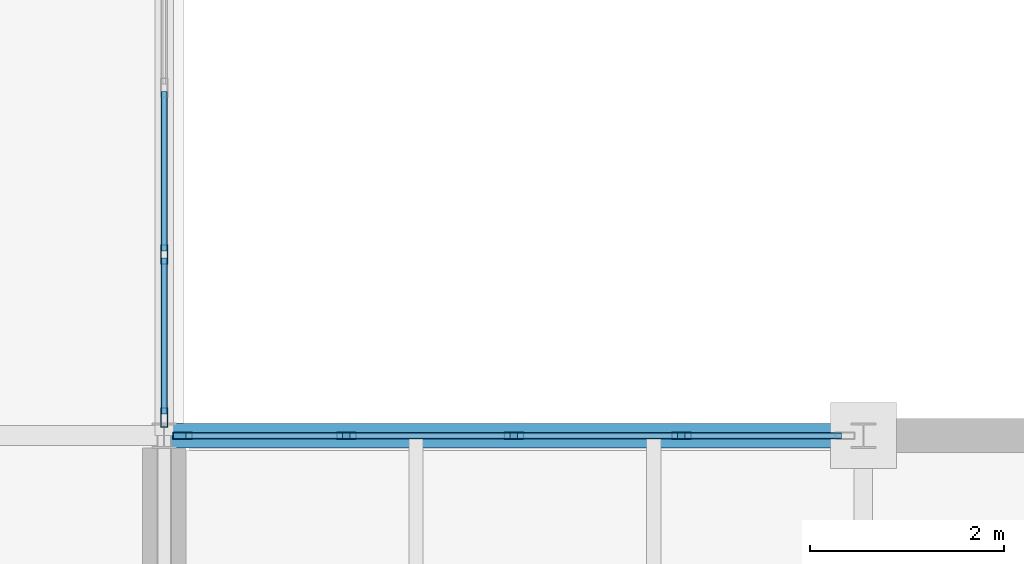
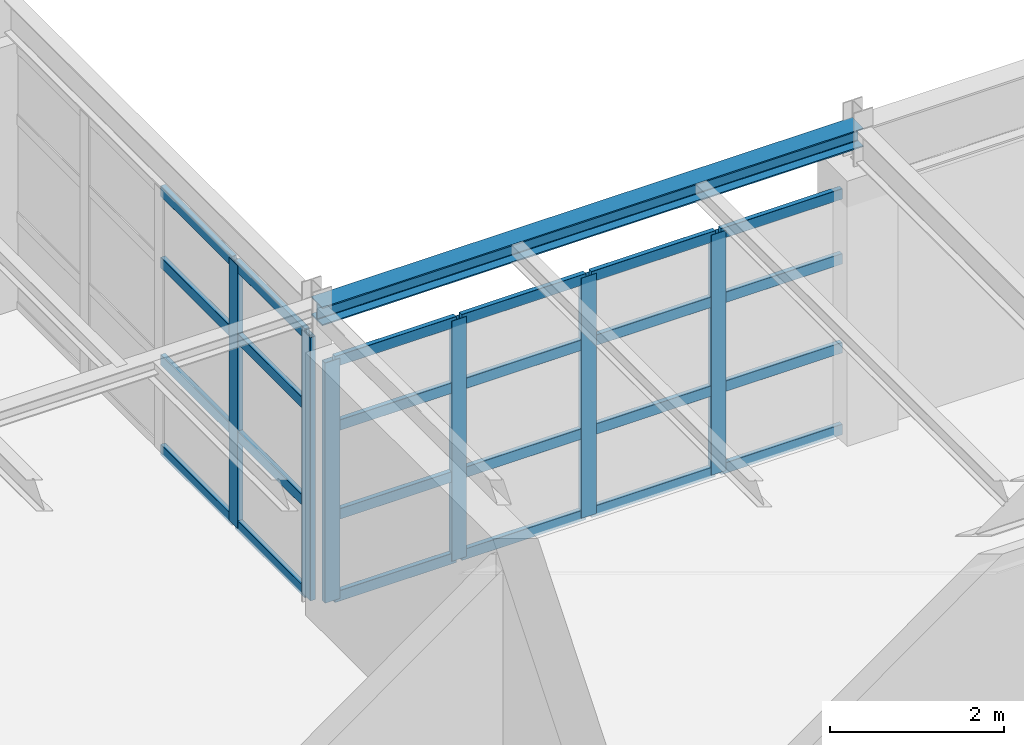
# One storey, part 31 of 137: 30 members, 1 beam, 2 elements without a shape of their own.
"""IFC4 building model written with IfcOpenShell, lengths in metres."""

from ifc_helpers import new_model, si_unit, direction, frame, origin, origin_2d, place, context, subcontext, project, spatial, hollow_rectangle, i_section, extrude, material, layer, layer_set, material_profile, profile_set, type_object, element, aggregate, save


model = new_model("IFC4")

# Units and contexts
model_context = context("Model", 3, precision=1e-05, world=origin(), true_north=direction((0.0, 1.0)))
body_context = subcontext(model_context, "Body", "Model", "MODEL_VIEW")
ifc_project = project(units=[si_unit("LENGTHUNIT", "METRE"), si_unit("AREAUNIT", "SQUARE_METRE"), si_unit("VOLUMEUNIT", "CUBIC_METRE"), si_unit("PLANEANGLEUNIT", "RADIAN"), si_unit("MASSUNIT", "GRAM", prefix="KILO")], contexts=[model_context])

# Site, building, storey
site_placement = place(None, origin())
site = spatial("IfcSite", under=ifc_project, at=site_placement, CompositionType="ELEMENT")
building_placement = place(site_placement, origin())
building = spatial("IfcBuilding", under=site, at=building_placement, Name="Kemerveld Promenade Tramway Depot", CompositionType="ELEMENT")
storey_placement = place(building_placement, frame((0.0, 0.0, 5.39990234375)))
storey = spatial("IfcBuildingStorey", under=building, at=storey_placement, Name="L01", CompositionType="ELEMENT", Elevation=5.39990234375)

# Beam
ifc_material_1 = material(Name="Steel S355", Category="steel")
ifc_material_profile_1 = material_profile(ifc_material_1, i_section(OverallWidth=0.25634765625, OverallDepth=0.26025390625, WebThickness=0.01025390625, FlangeThickness=0.017333984375, FilletRadius=0.0126953125, at=origin_2d()), Name="254x254x89 UC")
ifc_profile_set_1 = profile_set([ifc_material_profile_1], Name="Steel S355")
beam_type = type_object("IfcBeamType", Name="BM-LN4", PredefinedType="LINTEL", material=ifc_profile_set_1)
beam_placement = place(storey_placement, frame((57.60009765625, 28.800048828125, 4.119873046875), z_axis=(1.0, 0.0, 0.0), x_axis=(0.0, 1.0, 0.0)))
element("IfcBeam", 1, at=beam_placement, inside=storey, type_object=beam_type, Name="BMX-L01-09-10-E", PredefinedType="LINTEL", context=body_context, shape_type="SweptSolid", body=[
    extrude(i_section(OverallWidth=0.25634765625, OverallDepth=0.26025390625, WebThickness=0.01025390625, FlangeThickness=0.017333984375, FilletRadius=0.0126953125, at=origin_2d()), origin(), (0.0, 0.0, 1.0), 7.199951171875),
])

# Curtain wall, members
ifc_material_2 = material(Name="Bronze anodised aluminium and solar glass", Category="aluminium")
ifc_layer_1 = layer(ifc_material_2, 0.199951171875)
ifc_layer_set_1 = layer_set([ifc_layer_1], Name="CW-SYS-10")
curtain_wall_type_1 = type_object("IfcCurtainWallType", Name="CW-SYS-10", PredefinedType="USERDEFINED", material=ifc_layer_set_1)
curtain_wall_1_placement = place(storey_placement, origin())
curtain_wall_1 = element("IfcCurtainWall", 2, at=curtain_wall_1_placement, inside=storey, type_object=curtain_wall_type_1, Name="CW-L01-V5E-07", ObjectType="GLAZED_CURTAIN_WALL", PredefinedType="USERDEFINED")
ifc_material_3 = material(Name="Bronze anodised aluminium", Category="aluminium")
ifc_material_profile_2 = material_profile(ifc_material_3, hollow_rectangle(XDim=0.074951171875, YDim=0.199951171875, WallThickness=0.0048828125, InnerFilletRadius=0.001953125, OuterFilletRadius=0.0048828125, at=origin_2d()), Name="CW-MUL-200x75")
ifc_profile_set_2 = profile_set([ifc_material_profile_2], Name="Bronze anodised aluminium")
member_type_1 = type_object("IfcMemberType", Name="CW-MUL-B", PredefinedType="MULLION", material=ifc_profile_set_2)
member_1_placement = place(storey_placement, frame((57.60009765625, 30.666748046875, 0.0), z_axis=(0.0, 0.0, 1.0), x_axis=(1.0, 0.0, 0.0)))
member_1 = element("IfcMember", 3, at=member_1_placement, type_object=member_type_1, Name="CW10 mullion 4", PredefinedType="MULLION", context=body_context, shape_type="SweptSolid", body=[
    extrude(hollow_rectangle(XDim=0.074951171875, YDim=0.199951171875, WallThickness=0.0048828125, InnerFilletRadius=0.001953125, OuterFilletRadius=0.0048828125, at=origin_2d()), origin(), (0.0, 0.0, 1.0), 3.70361328125),
])
member_2_placement = place(storey_placement, frame((57.60009765625, 28.98779296875, 0.0), z_axis=(0.0, 0.0, 1.0), x_axis=(1.0, 0.0, 0.0)))
member_2 = element("IfcMember", 4, at=member_2_placement, type_object=member_type_1, Name="CW10 mullion 5", PredefinedType="MULLION", context=body_context, shape_type="SweptSolid", body=[
    extrude(hollow_rectangle(XDim=0.074951171875, YDim=0.199951171875, WallThickness=0.0048828125, InnerFilletRadius=0.001953125, OuterFilletRadius=0.0048828125, at=origin_2d()), origin(), (0.0, 0.0, 1.0), 3.70361328125),
])

ifc_layer_2 = layer(ifc_material_2, 0.199951171875)
ifc_layer_set_2 = layer_set([ifc_layer_2], Name="CW-SYS-04")
curtain_wall_type_2 = type_object("IfcCurtainWallType", Name="CW-SYS-04", PredefinedType="USERDEFINED", material=ifc_layer_set_2)
curtain_wall_2_placement = place(storey_placement, origin())
curtain_wall_2 = element("IfcCurtainWall", 5, at=curtain_wall_2_placement, inside=storey, type_object=curtain_wall_type_2, Name="CW-L01-V4N-01", ObjectType="GLAZED_CURTAIN_WALL", PredefinedType="USERDEFINED")
member_3_placement = place(storey_placement, frame((57.78759765625, 28.800048828125, 0.0), z_axis=(0.0, 0.0, 1.0), x_axis=(0.0, 1.0, 0.0)))
member_3 = element("IfcMember", 6, at=member_3_placement, type_object=member_type_1, Name="CW04 mullion 1", PredefinedType="MULLION", context=body_context, shape_type="SweptSolid", body=[
    extrude(hollow_rectangle(XDim=0.074951171875, YDim=0.199951171875, WallThickness=0.0048828125, InnerFilletRadius=0.001953125, OuterFilletRadius=0.0048828125, at=origin_2d()), origin(), (0.0, 0.0, 1.0), 3.37939453125),
])
member_4_placement = place(storey_placement, frame((59.47509765625, 28.800048828125, 0.0), z_axis=(0.0, 0.0, 1.0), x_axis=(0.0, 1.0, 0.0)))
member_4 = element("IfcMember", 7, at=member_4_placement, type_object=member_type_1, Name="CW04 mullion 2", PredefinedType="MULLION", context=body_context, shape_type="SweptSolid", body=[
    extrude(hollow_rectangle(XDim=0.074951171875, YDim=0.199951171875, WallThickness=0.0048828125, InnerFilletRadius=0.001953125, OuterFilletRadius=0.0048828125, at=origin_2d()), origin(), (0.0, 0.0, 1.0), 3.37939453125),
])
member_5_placement = place(storey_placement, frame((61.199951171875, 28.800048828125, 0.0), z_axis=(0.0, 0.0, 1.0), x_axis=(0.0, 1.0, 0.0)))
member_5 = element("IfcMember", 8, at=member_5_placement, type_object=member_type_1, Name="CW04 mullion 3", PredefinedType="MULLION", context=body_context, shape_type="SweptSolid", body=[
    extrude(hollow_rectangle(XDim=0.074951171875, YDim=0.199951171875, WallThickness=0.0048828125, InnerFilletRadius=0.001953125, OuterFilletRadius=0.0048828125, at=origin_2d()), origin(), (0.0, 0.0, 1.0), 3.37939453125),
])
member_6_placement = place(storey_placement, frame((62.925048828125, 28.800048828125, 0.0), z_axis=(0.0, 0.0, 1.0), x_axis=(0.0, 1.0, 0.0)))
member_6 = element("IfcMember", 9, at=member_6_placement, type_object=member_type_1, Name="CW04 mullion 4", PredefinedType="MULLION", context=body_context, shape_type="SweptSolid", body=[
    extrude(hollow_rectangle(XDim=0.074951171875, YDim=0.199951171875, WallThickness=0.0048828125, InnerFilletRadius=0.001953125, OuterFilletRadius=0.0048828125, at=origin_2d()), origin(), (0.0, 0.0, 1.0), 3.37939453125),
])

# Member
ifc_material_profile_3 = material_profile(ifc_material_3, hollow_rectangle(XDim=0.06494140625, YDim=0.14990234375, WallThickness=0.00439453125, InnerFilletRadius=0.001953125, OuterFilletRadius=0.00439453125, at=origin_2d()), Name="CW-TRN-150x65")
ifc_profile_set_3 = profile_set([ifc_material_profile_3], Name="Bronze anodised aluminium")
member_type_2 = type_object("IfcMemberType", Name="CW-TRN-B", PredefinedType="USERDEFINED", material=ifc_profile_set_3)
member_7_placement = place(storey_placement, frame((57.60009765625, 32.345947265625, 0.03271484375), z_axis=(0.0, -1.0, 0.0), x_axis=(1.0, 0.0, 0.0)))
member_7 = element("IfcMember", 10, at=member_7_placement, type_object=member_type_2, Name="CW10 transom 3.1", ObjectType="TRANSOM", PredefinedType="USERDEFINED", context=body_context, shape_type="SweptSolid", body=[
    extrude(hollow_rectangle(XDim=0.06494140625, YDim=0.14990234375, WallThickness=0.00439453125, InnerFilletRadius=0.001953125, OuterFilletRadius=0.00439453125, at=origin_2d()), origin(), (0.0, 0.0, 1.0), 1.6416015625),
])

member_8_placement = place(storey_placement, frame((57.60009765625, 32.345947265625, 1.296142578125), z_axis=(0.0, -1.0, 0.0), x_axis=(1.0, 0.0, 0.0)))
member_8 = element("IfcMember", 11, at=member_8_placement, type_object=member_type_2, Name="CW10 transom 3.2", ObjectType="TRANSOM", PredefinedType="USERDEFINED", context=body_context, shape_type="SweptSolid", body=[
    extrude(hollow_rectangle(XDim=0.06494140625, YDim=0.14990234375, WallThickness=0.00439453125, InnerFilletRadius=0.001953125, OuterFilletRadius=0.00439453125, at=origin_2d()), origin(), (0.0, 0.0, 1.0), 1.6416015625),
])

member_9_placement = place(storey_placement, frame((57.60009765625, 32.345947265625, 2.666015625), z_axis=(0.0, -1.0, 0.0), x_axis=(1.0, 0.0, 0.0)))
member_9 = element("IfcMember", 12, at=member_9_placement, type_object=member_type_2, Name="CW10 transom 3.3", ObjectType="TRANSOM", PredefinedType="USERDEFINED", context=body_context, shape_type="SweptSolid", body=[
    extrude(hollow_rectangle(XDim=0.06494140625, YDim=0.14990234375, WallThickness=0.00439453125, InnerFilletRadius=0.001953125, OuterFilletRadius=0.00439453125, at=origin_2d()), origin(), (0.0, 0.0, 1.0), 1.6416015625),
])

member_10_placement = place(storey_placement, frame((57.60009765625, 32.345947265625, 3.6708984375), z_axis=(0.0, -1.0, 0.0), x_axis=(1.0, 0.0, 0.0)))
member_10 = element("IfcMember", 13, at=member_10_placement, type_object=member_type_2, Name="CW10 transom 3.4", ObjectType="TRANSOM", PredefinedType="USERDEFINED", context=body_context, shape_type="SweptSolid", body=[
    extrude(hollow_rectangle(XDim=0.06494140625, YDim=0.14990234375, WallThickness=0.00439453125, InnerFilletRadius=0.001953125, OuterFilletRadius=0.00439453125, at=origin_2d()), origin(), (0.0, 0.0, 1.0), 1.6416015625),
])

member_11_placement = place(storey_placement, frame((57.60009765625, 30.62939453125, 0.03271484375), z_axis=(0.0, -1.0, 0.0), x_axis=(1.0, 0.0, 0.0)))
member_11 = element("IfcMember", 14, at=member_11_placement, type_object=member_type_2, Name="CW10 transom 4.1", ObjectType="TRANSOM", PredefinedType="USERDEFINED", context=body_context, shape_type="SweptSolid", body=[
    extrude(hollow_rectangle(XDim=0.06494140625, YDim=0.14990234375, WallThickness=0.00439453125, InnerFilletRadius=0.001953125, OuterFilletRadius=0.00439453125, at=origin_2d()), origin(), (0.0, 0.0, 1.0), 1.604248046875),
])

member_12_placement = place(storey_placement, frame((57.60009765625, 30.62939453125, 1.296142578125), z_axis=(0.0, -1.0, 0.0), x_axis=(1.0, 0.0, 0.0)))
member_12 = element("IfcMember", 15, at=member_12_placement, type_object=member_type_2, Name="CW10 transom 4.2", ObjectType="TRANSOM", PredefinedType="USERDEFINED", context=body_context, shape_type="SweptSolid", body=[
    extrude(hollow_rectangle(XDim=0.06494140625, YDim=0.14990234375, WallThickness=0.00439453125, InnerFilletRadius=0.001953125, OuterFilletRadius=0.00439453125, at=origin_2d()), origin(), (0.0, 0.0, 1.0), 1.604248046875),
])

member_13_placement = place(storey_placement, frame((57.60009765625, 30.62939453125, 2.666015625), z_axis=(0.0, -1.0, 0.0), x_axis=(1.0, 0.0, 0.0)))
member_13 = element("IfcMember", 16, at=member_13_placement, type_object=member_type_2, Name="CW10 transom 4.3", ObjectType="TRANSOM", PredefinedType="USERDEFINED", context=body_context, shape_type="SweptSolid", body=[
    extrude(hollow_rectangle(XDim=0.06494140625, YDim=0.14990234375, WallThickness=0.00439453125, InnerFilletRadius=0.001953125, OuterFilletRadius=0.00439453125, at=origin_2d()), origin(), (0.0, 0.0, 1.0), 1.604248046875),
])

member_14_placement = place(storey_placement, frame((57.60009765625, 30.62939453125, 3.6708984375), z_axis=(0.0, -1.0, 0.0), x_axis=(1.0, 0.0, 0.0)))
member_14 = element("IfcMember", 17, at=member_14_placement, type_object=member_type_2, Name="CW10 transom 4.4", ObjectType="TRANSOM", PredefinedType="USERDEFINED", context=body_context, shape_type="SweptSolid", body=[
    extrude(hollow_rectangle(XDim=0.06494140625, YDim=0.14990234375, WallThickness=0.00439453125, InnerFilletRadius=0.001953125, OuterFilletRadius=0.00439453125, at=origin_2d()), origin(), (0.0, 0.0, 1.0), 1.604248046875),
])

aggregate(curtain_wall_1, [member_1, member_2, member_7, member_8, member_9, member_10, member_11, member_12, member_13, member_14])

member_15_placement = place(storey_placement, frame((57.8251953125, 28.800048828125, 0.03271484375), z_axis=(1.0, 0.0, 0.0), x_axis=(0.0, 1.0, 0.0)))
member_15 = element("IfcMember", 18, at=member_15_placement, type_object=member_type_2, Name="CW04 transom 1.1", ObjectType="TRANSOM", PredefinedType="USERDEFINED", context=body_context, shape_type="SweptSolid", body=[
    extrude(hollow_rectangle(XDim=0.06494140625, YDim=0.14990234375, WallThickness=0.00439453125, InnerFilletRadius=0.001953125, OuterFilletRadius=0.00439453125, at=origin_2d()), origin(), (0.0, 0.0, 1.0), 1.6123046875),
])

member_16_placement = place(storey_placement, frame((57.8251953125, 28.800048828125, 1.18310546875), z_axis=(1.0, 0.0, 0.0), x_axis=(0.0, 1.0, 0.0)))
member_16 = element("IfcMember", 19, at=member_16_placement, type_object=member_type_2, Name="CW04 transom 1.2", ObjectType="TRANSOM", PredefinedType="USERDEFINED", context=body_context, shape_type="SweptSolid", body=[
    extrude(hollow_rectangle(XDim=0.06494140625, YDim=0.14990234375, WallThickness=0.00439453125, InnerFilletRadius=0.001953125, OuterFilletRadius=0.00439453125, at=origin_2d()), origin(), (0.0, 0.0, 1.0), 1.6123046875),
])

member_17_placement = place(storey_placement, frame((57.8251953125, 28.800048828125, 2.43310546875), z_axis=(1.0, 0.0, 0.0), x_axis=(0.0, 1.0, 0.0)))
member_17 = element("IfcMember", 20, at=member_17_placement, type_object=member_type_2, Name="CW04 transom 1.3", ObjectType="TRANSOM", PredefinedType="USERDEFINED", context=body_context, shape_type="SweptSolid", body=[
    extrude(hollow_rectangle(XDim=0.06494140625, YDim=0.14990234375, WallThickness=0.00439453125, InnerFilletRadius=0.001953125, OuterFilletRadius=0.00439453125, at=origin_2d()), origin(), (0.0, 0.0, 1.0), 1.6123046875),
])

member_18_placement = place(storey_placement, frame((57.8251953125, 28.800048828125, 3.3466796875), z_axis=(1.0, 0.0, 0.0), x_axis=(0.0, 1.0, 0.0)))
member_18 = element("IfcMember", 21, at=member_18_placement, type_object=member_type_2, Name="CW04 transom 1.4", ObjectType="TRANSOM", PredefinedType="USERDEFINED", context=body_context, shape_type="SweptSolid", body=[
    extrude(hollow_rectangle(XDim=0.06494140625, YDim=0.14990234375, WallThickness=0.00439453125, InnerFilletRadius=0.001953125, OuterFilletRadius=0.00439453125, at=origin_2d()), origin(), (0.0, 0.0, 1.0), 1.6123046875),
])

member_19_placement = place(storey_placement, frame((59.512451171875, 28.800048828125, 0.03271484375), z_axis=(1.0, 0.0, 0.0), x_axis=(0.0, 1.0, 0.0)))
member_19 = element("IfcMember", 22, at=member_19_placement, type_object=member_type_2, Name="CW04 transom 2.1", ObjectType="TRANSOM", PredefinedType="USERDEFINED", context=body_context, shape_type="SweptSolid", body=[
    extrude(hollow_rectangle(XDim=0.06494140625, YDim=0.14990234375, WallThickness=0.00439453125, InnerFilletRadius=0.001953125, OuterFilletRadius=0.00439453125, at=origin_2d()), origin(), (0.0, 0.0, 1.0), 1.650146484375),
])

member_20_placement = place(storey_placement, frame((59.512451171875, 28.800048828125, 1.18310546875), z_axis=(1.0, 0.0, 0.0), x_axis=(0.0, 1.0, 0.0)))
member_20 = element("IfcMember", 23, at=member_20_placement, type_object=member_type_2, Name="CW04 transom 2.2", ObjectType="TRANSOM", PredefinedType="USERDEFINED", context=body_context, shape_type="SweptSolid", body=[
    extrude(hollow_rectangle(XDim=0.06494140625, YDim=0.14990234375, WallThickness=0.00439453125, InnerFilletRadius=0.001953125, OuterFilletRadius=0.00439453125, at=origin_2d()), origin(), (0.0, 0.0, 1.0), 1.650146484375),
])

member_21_placement = place(storey_placement, frame((59.512451171875, 28.800048828125, 2.43310546875), z_axis=(1.0, 0.0, 0.0), x_axis=(0.0, 1.0, 0.0)))
member_21 = element("IfcMember", 24, at=member_21_placement, type_object=member_type_2, Name="CW04 transom 2.3", ObjectType="TRANSOM", PredefinedType="USERDEFINED", context=body_context, shape_type="SweptSolid", body=[
    extrude(hollow_rectangle(XDim=0.06494140625, YDim=0.14990234375, WallThickness=0.00439453125, InnerFilletRadius=0.001953125, OuterFilletRadius=0.00439453125, at=origin_2d()), origin(), (0.0, 0.0, 1.0), 1.650146484375),
])

member_22_placement = place(storey_placement, frame((59.512451171875, 28.800048828125, 3.3466796875), z_axis=(1.0, 0.0, 0.0), x_axis=(0.0, 1.0, 0.0)))
member_22 = element("IfcMember", 25, at=member_22_placement, type_object=member_type_2, Name="CW04 transom 2.4", ObjectType="TRANSOM", PredefinedType="USERDEFINED", context=body_context, shape_type="SweptSolid", body=[
    extrude(hollow_rectangle(XDim=0.06494140625, YDim=0.14990234375, WallThickness=0.00439453125, InnerFilletRadius=0.001953125, OuterFilletRadius=0.00439453125, at=origin_2d()), origin(), (0.0, 0.0, 1.0), 1.650146484375),
])

member_23_placement = place(storey_placement, frame((61.237548828125, 28.800048828125, 0.03271484375), z_axis=(1.0, 0.0, 0.0), x_axis=(0.0, 1.0, 0.0)))
member_23 = element("IfcMember", 26, at=member_23_placement, type_object=member_type_2, Name="CW04 transom 3.1", ObjectType="TRANSOM", PredefinedType="USERDEFINED", context=body_context, shape_type="SweptSolid", body=[
    extrude(hollow_rectangle(XDim=0.06494140625, YDim=0.14990234375, WallThickness=0.00439453125, InnerFilletRadius=0.001953125, OuterFilletRadius=0.00439453125, at=origin_2d()), origin(), (0.0, 0.0, 1.0), 1.64990234375),
])

member_24_placement = place(storey_placement, frame((61.237548828125, 28.800048828125, 1.18310546875), z_axis=(1.0, 0.0, 0.0), x_axis=(0.0, 1.0, 0.0)))
member_24 = element("IfcMember", 27, at=member_24_placement, type_object=member_type_2, Name="CW04 transom 3.2", ObjectType="TRANSOM", PredefinedType="USERDEFINED", context=body_context, shape_type="SweptSolid", body=[
    extrude(hollow_rectangle(XDim=0.06494140625, YDim=0.14990234375, WallThickness=0.00439453125, InnerFilletRadius=0.001953125, OuterFilletRadius=0.00439453125, at=origin_2d()), origin(), (0.0, 0.0, 1.0), 1.64990234375),
])

member_25_placement = place(storey_placement, frame((61.237548828125, 28.800048828125, 2.43310546875), z_axis=(1.0, 0.0, 0.0), x_axis=(0.0, 1.0, 0.0)))
member_25 = element("IfcMember", 28, at=member_25_placement, type_object=member_type_2, Name="CW04 transom 3.3", ObjectType="TRANSOM", PredefinedType="USERDEFINED", context=body_context, shape_type="SweptSolid", body=[
    extrude(hollow_rectangle(XDim=0.06494140625, YDim=0.14990234375, WallThickness=0.00439453125, InnerFilletRadius=0.001953125, OuterFilletRadius=0.00439453125, at=origin_2d()), origin(), (0.0, 0.0, 1.0), 1.64990234375),
])

member_26_placement = place(storey_placement, frame((61.237548828125, 28.800048828125, 3.3466796875), z_axis=(1.0, 0.0, 0.0), x_axis=(0.0, 1.0, 0.0)))
member_26 = element("IfcMember", 29, at=member_26_placement, type_object=member_type_2, Name="CW04 transom 3.4", ObjectType="TRANSOM", PredefinedType="USERDEFINED", context=body_context, shape_type="SweptSolid", body=[
    extrude(hollow_rectangle(XDim=0.06494140625, YDim=0.14990234375, WallThickness=0.00439453125, InnerFilletRadius=0.001953125, OuterFilletRadius=0.00439453125, at=origin_2d()), origin(), (0.0, 0.0, 1.0), 1.64990234375),
])

member_27_placement = place(storey_placement, frame((62.96240234375, 28.800048828125, 0.03271484375), z_axis=(1.0, 0.0, 0.0), x_axis=(0.0, 1.0, 0.0)))
member_27 = element("IfcMember", 30, at=member_27_placement, type_object=member_type_2, Name="CW04 transom 4.1", ObjectType="TRANSOM", PredefinedType="USERDEFINED", context=body_context, shape_type="SweptSolid", body=[
    extrude(hollow_rectangle(XDim=0.06494140625, YDim=0.14990234375, WallThickness=0.00439453125, InnerFilletRadius=0.001953125, OuterFilletRadius=0.00439453125, at=origin_2d()), origin(), (0.0, 0.0, 1.0), 1.612548828125),
])

member_28_placement = place(storey_placement, frame((62.96240234375, 28.800048828125, 1.18310546875), z_axis=(1.0, 0.0, 0.0), x_axis=(0.0, 1.0, 0.0)))
member_28 = element("IfcMember", 31, at=member_28_placement, type_object=member_type_2, Name="CW04 transom 4.2", ObjectType="TRANSOM", PredefinedType="USERDEFINED", context=body_context, shape_type="SweptSolid", body=[
    extrude(hollow_rectangle(XDim=0.06494140625, YDim=0.14990234375, WallThickness=0.00439453125, InnerFilletRadius=0.001953125, OuterFilletRadius=0.00439453125, at=origin_2d()), origin(), (0.0, 0.0, 1.0), 1.612548828125),
])

member_29_placement = place(storey_placement, frame((62.96240234375, 28.800048828125, 2.43310546875), z_axis=(1.0, 0.0, 0.0), x_axis=(0.0, 1.0, 0.0)))
member_29 = element("IfcMember", 32, at=member_29_placement, type_object=member_type_2, Name="CW04 transom 4.3", ObjectType="TRANSOM", PredefinedType="USERDEFINED", context=body_context, shape_type="SweptSolid", body=[
    extrude(hollow_rectangle(XDim=0.06494140625, YDim=0.14990234375, WallThickness=0.00439453125, InnerFilletRadius=0.001953125, OuterFilletRadius=0.00439453125, at=origin_2d()), origin(), (0.0, 0.0, 1.0), 1.612548828125),
])

member_30_placement = place(storey_placement, frame((62.96240234375, 28.800048828125, 3.3466796875), z_axis=(1.0, 0.0, 0.0), x_axis=(0.0, 1.0, 0.0)))
member_30 = element("IfcMember", 33, at=member_30_placement, type_object=member_type_2, Name="CW04 transom 4.4", ObjectType="TRANSOM", PredefinedType="USERDEFINED", context=body_context, shape_type="SweptSolid", body=[
    extrude(hollow_rectangle(XDim=0.06494140625, YDim=0.14990234375, WallThickness=0.00439453125, InnerFilletRadius=0.001953125, OuterFilletRadius=0.00439453125, at=origin_2d()), origin(), (0.0, 0.0, 1.0), 1.612548828125),
])

aggregate(curtain_wall_2, [member_3, member_4, member_5, member_6, member_15, member_16, member_17, member_18, member_19, member_20, member_21, member_22, member_23, member_24, member_25, member_26, member_27, member_28, member_29, member_30])

save(model, "model.ifc")
